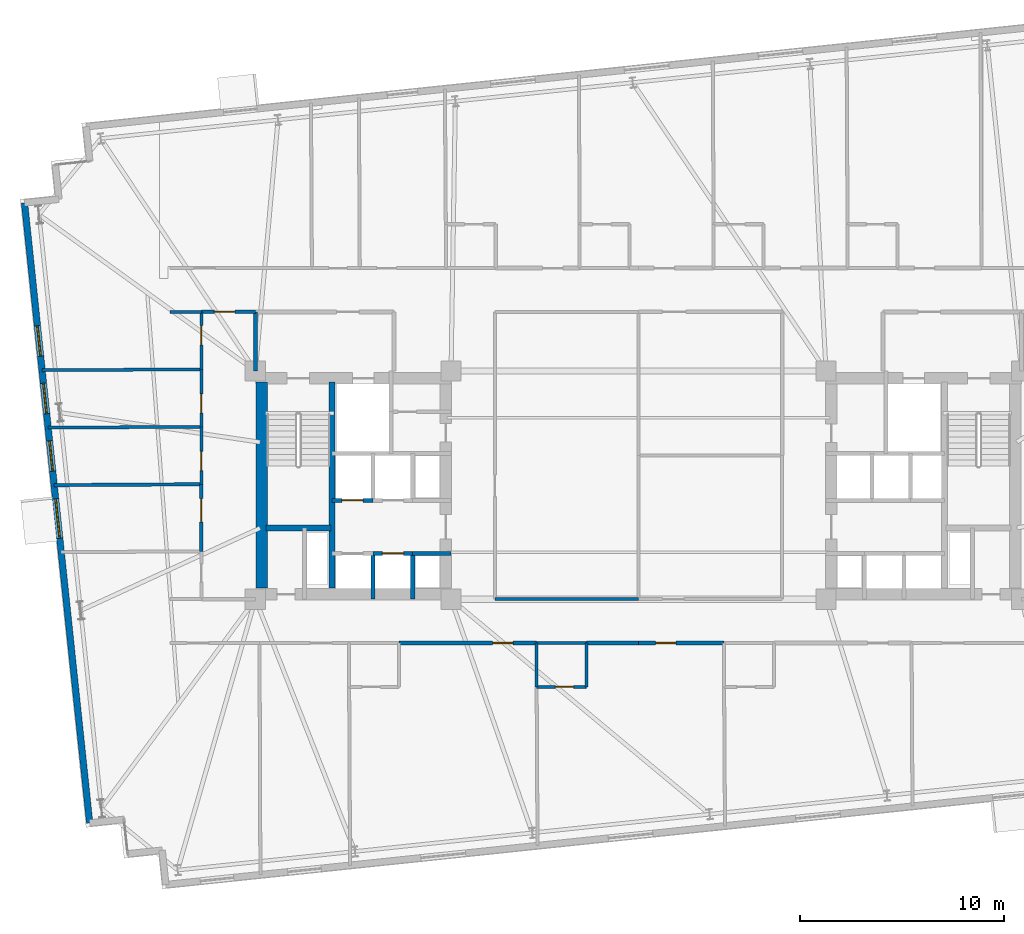
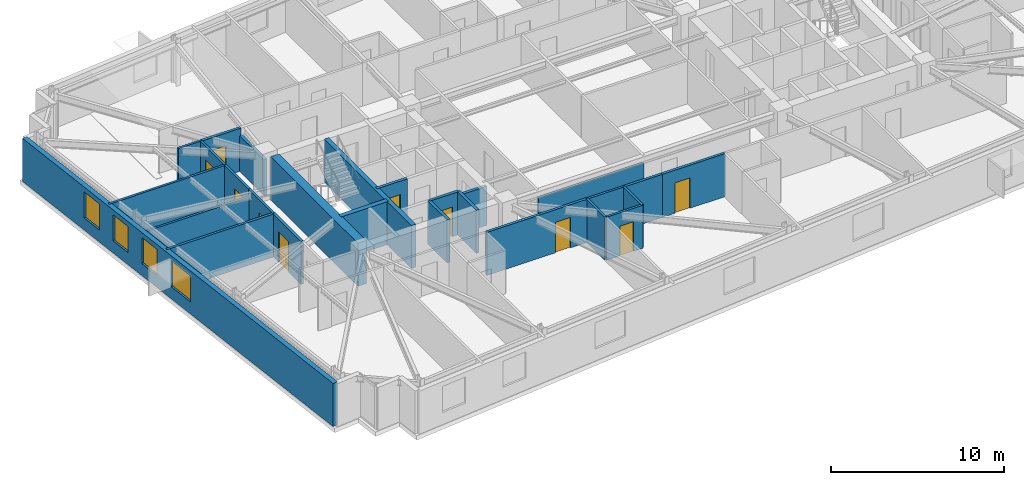
# One storey, part 12 of 19: 27 walls, 10 doors, 4 windows, 14 openings.
"""IFC4 building model written with IfcOpenShell, lengths in metres."""

from ifc_helpers import new_model, si_unit, direction, frame, frame_2d, origin, place, context, subcontext, project, spatial, rectangle, extrude, material, layer, layer_set, type_object, element, fill, save


model = new_model("IFC4")

# Units and contexts
model_context = context("Model", 3, precision=1e-05, world=origin(), true_north=direction((0.0, 1.0)))
body_context = subcontext(model_context, "Body", "Model", "MODEL_VIEW")
ifc_project = project(units=[si_unit("LENGTHUNIT", "METRE"), si_unit("AREAUNIT", "SQUARE_METRE"), si_unit("VOLUMEUNIT", "CUBIC_METRE"), si_unit("PLANEANGLEUNIT", "RADIAN"), si_unit("MASSUNIT", "GRAM", prefix="KILO")], contexts=[model_context])

# Site, building, storey
site_placement = place(None, origin())
site = spatial("IfcSite", under=ifc_project, at=site_placement, CompositionType="ELEMENT")
building_placement = place(site_placement, origin())
building = spatial("IfcBuilding", under=site, at=building_placement, Name="Qobustan Lattice House", CompositionType="ELEMENT")
storey_placement = place(building_placement, frame((0.0, 0.0, 82.35009765625)))
storey = spatial("IfcBuildingStorey", under=building, at=storey_placement, Name="L22", CompositionType="ELEMENT", Elevation=82.35009765625)

# Walls
ifc_material_1 = material(Name="Concrete C60/75", Category="concrete")
ifc_layer_1 = layer(ifc_material_1, 0.56005859375)
ifc_layer_set_1 = layer_set([ifc_layer_1], Name="Concrete C60/75")
wall_type_1 = type_object("IfcWallType", Name="WAL-CORE-600", PredefinedType="SHEAR", material=ifc_layer_set_1)
wall_1_placement = place(storey_placement, frame((-18.489990234375, -5.050048828125, 0.0), z_axis=(0.0, 0.0, 1.0), x_axis=(0.0, 1.0, 0.0)))
element("IfcWall", 1, at=wall_1_placement, inside=storey, type_object=wall_type_1, Name="L22 split-core shear wall CW-W", PredefinedType="SHEAR", context=body_context, shape_type="SweptSolid", body=[
    extrude(rectangle(XDim=10.10009765625, YDim=0.56005859375, at=frame_2d((5.050048828125, 0.0))), origin(), (0.0, 0.0, 1.0), 3.044921875),
])
ifc_material_2 = material(Name="Concrete C50/60", Category="concrete")
ifc_layer_2 = layer(ifc_material_2, 0.280029296875)
ifc_layer_set_2 = layer_set([ifc_layer_2], Name="Concrete C50/60")
wall_type_2 = type_object("IfcWallType", Name="WAL-CORE-SPINE-280", PredefinedType="SHEAR", material=ifc_layer_set_2)
wall_2_placement = place(storey_placement, frame((-15.050048828125, -5.050048828125, 0.0), z_axis=(0.0, 0.0, 1.0), x_axis=(0.0, 1.0, 0.0)))
element("IfcWall", 2, at=wall_2_placement, inside=storey, type_object=wall_type_2, Name="L22 split-core shear wall CW-M", PredefinedType="SHEAR", context=body_context, shape_type="SweptSolid", body=[
    extrude(rectangle(XDim=10.10009765625, YDim=0.300048828125, at=frame_2d((5.050048828125, 0.0))), origin(), (0.0, 0.0, 1.0), 3.044921875),
])
wall_3_placement = place(storey_placement, frame((-18.280029296875, -2.110107421875, 0.0), z_axis=(0.0, 0.0, 1.0), x_axis=(1.0, 0.0, 0.0)))
element("IfcWall", 3, at=wall_3_placement, inside=storey, type_object=wall_type_2, Name="L22 split-core shear wall CW-ST", PredefinedType="SHEAR", context=body_context, shape_type="SweptSolid", body=[
    extrude(rectangle(XDim=3.179931640625, YDim=0.300048828125, at=frame_2d((1.58984375, 0.0))), origin(), (0.0, 0.0, 1.0), 3.044921875),
])

# Wall, openings, windows
ifc_material_3 = material(Name="Precast concrete C40/50", Category="concrete")
ifc_layer_3 = layer(ifc_material_3, 0.320068359375)
ifc_layer_set_3 = layer_set([ifc_layer_3], Name="Precast concrete C40/50")
wall_type_3 = type_object("IfcWallType", Name="WAL-EXT-STONE-320", PredefinedType="SOLIDWALL", material=ifc_layer_set_3)
wall_4_placement = place(storey_placement, frame((-26.934814453125, -16.58349609375, 0.0), z_axis=(0.0, 0.0, 1.0), x_axis=(-0.104524887486, 0.994522271192, 0.0)))
wall_4 = element("IfcWall", 4, at=wall_4_placement, inside=storey, type_object=wall_type_3, Name="L22 exterior limestone-clad wall 5", PredefinedType="SOLIDWALL", context=body_context, shape_type="SweptSolid", body=[
    extrude(rectangle(XDim=30.600341796875, YDim=0.320068359375, at=frame_2d((15.30029296875, 0.0))), origin(), (0.0, 0.0, 1.0), 3.044921875),
])
opening_1_placement = place(wall_4_placement, frame((14.044677734375, 0.0, 0.85009765625)))
opening_1 = element("IfcOpeningElement", 5, at=opening_1_placement, cuts=wall_4, Name="Opening WN-08", PredefinedType="OPENING", context=body_context, shape_type="SweptSolid", body=[
    extrude(rectangle(XDim=1.949951171875, YDim=1.85009765625, at=frame_2d((0.97509765625, 0.925048828125))), frame((0.0, 0.169921875, 0.0), z_axis=(0.0, -1.0, 0.0), x_axis=(1.0, 0.0, 0.0)), (0.0, 0.0, 1.0), 0.340087890625),
])
opening_2_placement = place(wall_4_placement, frame((17.353759765625, 0.0, 0.85009765625)))
opening_2 = element("IfcOpeningElement", 6, at=opening_2_placement, cuts=wall_4, Name="Opening WN-01", PredefinedType="OPENING", context=body_context, shape_type="SweptSolid", body=[
    extrude(rectangle(XDim=1.5, YDim=1.85009765625, at=frame_2d((0.75, 0.925048828125))), frame((0.0, 0.169921875, 0.0), z_axis=(0.0, -1.0, 0.0), x_axis=(1.0, 0.0, 0.0)), (0.0, 0.0, 1.0), 0.340087890625),
])
opening_3_placement = place(wall_4_placement, frame((20.197509765625, 0.0, 0.85009765625)))
opening_3 = element("IfcOpeningElement", 7, at=opening_3_placement, cuts=wall_4, Name="Opening WN-01", PredefinedType="OPENING", context=body_context, shape_type="SweptSolid", body=[
    extrude(rectangle(XDim=1.5, YDim=1.85009765625, at=frame_2d((0.75, 0.925048828125))), frame((0.0, 0.169921875, 0.0), z_axis=(0.0, -1.0, 0.0), x_axis=(1.0, 0.0, 0.0)), (0.0, 0.0, 1.0), 0.340087890625),
])
opening_4_placement = place(wall_4_placement, frame((23.041015625, 0.0, 0.85009765625)))
opening_4 = element("IfcOpeningElement", 8, at=opening_4_placement, cuts=wall_4, Name="Opening WN-01", PredefinedType="OPENING", context=body_context, shape_type="SweptSolid", body=[
    extrude(rectangle(XDim=1.5, YDim=1.85009765625, at=frame_2d((0.75, 0.925048828125))), frame((0.0, 0.169921875, 0.0), z_axis=(0.0, -1.0, 0.0), x_axis=(1.0, 0.0, 0.0)), (0.0, 0.0, 1.0), 0.340087890625),
])
ifc_material_4 = material(Name="Double-glazed low-E aluminium window", Category="aluminium")
window_type_1 = type_object("IfcWindowType", Name="WIN-BED-1500x1850", PartitioningType="SINGLE_PANEL", PredefinedType="WINDOW", material=ifc_material_4)
window_1_placement = place(opening_2_placement, origin())
window_1 = element("IfcWindow", 9, at=window_1_placement, inside=storey, type_object=window_type_1, Name="L22 Cluster bedroom L22W1 window", OverallHeight=1.85009765625, OverallWidth=1.5, PartitioningType="SINGLE_PANEL", PredefinedType="WINDOW", context=body_context, shape_type="SweptSolid", body=[
    extrude(rectangle(XDim=1.5, YDim=1.85009765625, at=frame_2d((0.75, 0.925048828125))), frame((0.0, 0.030029296875, 0.0), z_axis=(0.0, -1.0, 0.0), x_axis=(1.0, 0.0, 0.0)), (0.0, 0.0, 1.0), 0.06005859375),
])
fill(opening_2, window_1)
window_2_placement = place(opening_3_placement, origin())
window_2 = element("IfcWindow", 10, at=window_2_placement, inside=storey, type_object=window_type_1, Name="L22 Cluster bedroom L22W2 window", OverallHeight=1.85009765625, OverallWidth=1.5, PartitioningType="SINGLE_PANEL", PredefinedType="WINDOW", context=body_context, shape_type="SweptSolid", body=[
    extrude(rectangle(XDim=1.5, YDim=1.85009765625, at=frame_2d((0.75, 0.925048828125))), frame((0.0, 0.030029296875, 0.0), z_axis=(0.0, -1.0, 0.0), x_axis=(1.0, 0.0, 0.0)), (0.0, 0.0, 1.0), 0.06005859375),
])
fill(opening_3, window_2)
window_3_placement = place(opening_4_placement, origin())
window_3 = element("IfcWindow", 11, at=window_3_placement, inside=storey, type_object=window_type_1, Name="L22 Cluster bedroom L22W3 window", OverallHeight=1.85009765625, OverallWidth=1.5, PartitioningType="SINGLE_PANEL", PredefinedType="WINDOW", context=body_context, shape_type="SweptSolid", body=[
    extrude(rectangle(XDim=1.5, YDim=1.85009765625, at=frame_2d((0.75, 0.925048828125))), frame((0.0, 0.030029296875, 0.0), z_axis=(0.0, -1.0, 0.0), x_axis=(1.0, 0.0, 0.0)), (0.0, 0.0, 1.0), 0.06005859375),
])
fill(opening_4, window_3)
ifc_material_5 = material(Name="Double-glazed low-E aluminium window", Category="aluminium")
window_type_2 = type_object("IfcWindowType", Name="WIN-KIT-1950x1850", PartitioningType="SINGLE_PANEL", PredefinedType="WINDOW", material=ifc_material_5)
window_4_placement = place(opening_1_placement, origin())
window_4 = element("IfcWindow", 12, at=window_4_placement, inside=storey, type_object=window_type_2, Name="L22 Shared kitchen L22W window", OverallHeight=1.85009765625, OverallWidth=1.949951171875, PartitioningType="SINGLE_PANEL", PredefinedType="WINDOW", context=body_context, shape_type="SweptSolid", body=[
    extrude(rectangle(XDim=1.949951171875, YDim=1.85009765625, at=frame_2d((0.97509765625, 0.925048828125))), frame((0.0, 0.030029296875, 0.0), z_axis=(0.0, -1.0, 0.0), x_axis=(1.0, 0.0, 0.0)), (0.0, 0.0, 1.0), 0.06005859375),
])
fill(opening_1, window_4)

# Wall, opening, door
ifc_material_6 = material(Name="Gypsum fireboard acoustic partition", Category="gypsum")
ifc_layer_4 = layer(ifc_material_6, 0.179931640625)
ifc_layer_set_4 = layer_set([ifc_layer_4], Name="Gypsum fireboard acoustic partition")
wall_type_4 = type_object("IfcWallType", Name="WAL-FIRE-180", PredefinedType="PARTITIONING", material=ifc_layer_set_4)
wall_5_placement = place(storey_placement, frame((-18.800048828125, 8.5, 0.0), z_axis=(0.0, 0.0, 1.0), x_axis=(-1.0, 0.0, 0.0)))
wall_5 = element("IfcWall", 13, at=wall_5_placement, inside=storey, type_object=wall_type_4, Name="L22 interior partition 37", PredefinedType="PARTITIONING", context=body_context, shape_type="SweptSolid", body=[
    extrude(rectangle(XDim=2.64990234375, YDim=0.179931640625, at=frame_2d((1.324951171875, 0.0))), origin(), (0.0, 0.0, 1.0), 3.044921875),
])
opening_5_placement = place(wall_5_placement, frame((1.0087890625, 0.0, 0.0)))
opening_5 = element("IfcOpeningElement", 14, at=opening_5_placement, cuts=wall_5, Name="Opening FD-02", PredefinedType="OPENING", context=body_context, shape_type="SweptSolid", body=[
    extrude(rectangle(XDim=1.0, YDim=2.14990234375, at=frame_2d((0.5, 1.074951171875))), frame((0.0, 0.099853515625, 0.0), z_axis=(0.0, -1.0, 0.0), x_axis=(1.0, 0.0, 0.0)), (0.0, 0.0, 1.0), 0.199951171875),
])
ifc_material_7 = material(Name="Persian walnut timber and steel frame door", Category="steel")
door_type_1 = type_object("IfcDoorType", Name="DOR-UNIT-FD-1000x2150", OperationType="NOTDEFINED", PredefinedType="DOOR", material=ifc_material_7)
door_1_placement = place(opening_5_placement, origin())
door_1 = element("IfcDoor", 15, at=door_1_placement, inside=storey, type_object=door_type_1, Name="L22 North-west floor corridor to Residence entrance hall L22W door", OperationType="SINGLE_SWING_RIGHT", OverallHeight=2.14990234375, OverallWidth=1.0, PredefinedType="DOOR", context=body_context, shape_type="SweptSolid", body=[
    extrude(rectangle(XDim=1.0, YDim=2.14990234375, at=frame_2d((0.5, 1.074951171875))), frame((0.0, 0.02490234375, 0.0), z_axis=(0.0, -1.0, 0.0), x_axis=(1.0, 0.0, 0.0)), (0.0, 0.0, 1.0), 0.050048828125),
])
fill(opening_5, door_1)

wall_6_placement = place(storey_placement, frame((-5.0, -7.75, 0.0), z_axis=(0.0, 0.0, 1.0), x_axis=(-1.0, 0.0, 0.0)))
wall_6 = element("IfcWall", 16, at=wall_6_placement, inside=storey, type_object=wall_type_4, Name="L22 interior partition 60", PredefinedType="PARTITIONING", context=body_context, shape_type="SweptSolid", body=[
    extrude(rectangle(XDim=6.75, YDim=0.179931640625, at=frame_2d((3.375, 0.0))), origin(), (0.0, 0.0, 1.0), 3.044921875),
])
opening_6_placement = place(wall_6_placement, frame((1.15380859375, 0.0, 0.0)))
opening_6 = element("IfcOpeningElement", 17, at=opening_6_placement, cuts=wall_6, Name="Opening FD-02", PredefinedType="OPENING", context=body_context, shape_type="SweptSolid", body=[
    extrude(rectangle(XDim=1.0, YDim=2.14990234375, at=frame_2d((0.5, 1.074951171875))), frame((0.0, 0.099853515625, 0.0), z_axis=(0.0, -1.0, 0.0), x_axis=(1.0, 0.0, 0.0)), (0.0, 0.0, 1.0), 0.199951171875),
])
door_2_placement = place(opening_6_placement, origin())
door_2 = element("IfcDoor", 18, at=door_2_placement, inside=storey, type_object=door_type_1, Name="L22 South-west floor corridor to Kitchenette and studio apartment L22-S2 door", OperationType="SINGLE_SWING_LEFT", OverallHeight=2.14990234375, OverallWidth=1.0, PredefinedType="DOOR", context=body_context, shape_type="SweptSolid", body=[
    extrude(rectangle(XDim=1.0, YDim=2.14990234375, at=frame_2d((0.5, 1.074951171875))), frame((0.0, 0.02490234375, 0.0), z_axis=(0.0, -1.0, 0.0), x_axis=(1.0, 0.0, 0.0)), (0.0, 0.0, 1.0), 0.050048828125),
])
fill(opening_6, door_2)

# Wall
wall_7_placement = place(storey_placement, frame((0.0, -7.75, 0.0), z_axis=(0.0, 0.0, 1.0), x_axis=(-1.0, 0.0, 0.0)))
element("IfcWall", 19, at=wall_7_placement, inside=storey, type_object=wall_type_4, Name="L22 interior partition 62", PredefinedType="PARTITIONING", context=body_context, shape_type="SweptSolid", body=[
    extrude(rectangle(XDim=2.550048828125, YDim=0.179931640625, at=frame_2d((1.27490234375, 0.0))), origin(), (0.0, 0.0, 1.0), 3.044921875),
])

# Wall, opening, door
wall_8_placement = place(storey_placement, frame((4.199951171875, -7.75, 0.0), z_axis=(0.0, 0.0, 1.0), x_axis=(-1.0, 0.0, 0.0)))
wall_8 = element("IfcWall", 20, at=wall_8_placement, inside=storey, type_object=wall_type_4, Name="L22 interior partition 67", PredefinedType="PARTITIONING", context=body_context, shape_type="SweptSolid", body=[
    extrude(rectangle(XDim=4.199951171875, YDim=0.179931640625, at=frame_2d((2.10009765625, 0.0))), origin(), (0.0, 0.0, 1.0), 3.044921875),
])
opening_7_placement = place(wall_8_placement, frame((2.364990234375, 0.0, 0.0)))
opening_7 = element("IfcOpeningElement", 21, at=opening_7_placement, cuts=wall_8, Name="Opening FD-02", PredefinedType="OPENING", context=body_context, shape_type="SweptSolid", body=[
    extrude(rectangle(XDim=1.0, YDim=2.14990234375, at=frame_2d((0.5, 1.074951171875))), frame((0.0, 0.099853515625, 0.0), z_axis=(0.0, -1.0, 0.0), x_axis=(1.0, 0.0, 0.0)), (0.0, 0.0, 1.0), 0.199951171875),
])
door_3_placement = place(opening_7_placement, origin())
door_3 = element("IfcDoor", 22, at=door_3_placement, inside=storey, type_object=door_type_1, Name="L22 South-east floor corridor to Kitchenette and studio apartment L22-S3 door", OperationType="SINGLE_SWING_RIGHT", OverallHeight=2.14990234375, OverallWidth=1.0, PredefinedType="DOOR", context=body_context, shape_type="SweptSolid", body=[
    extrude(rectangle(XDim=1.0, YDim=2.14990234375, at=frame_2d((0.5, 1.074951171875))), frame((0.0, 0.02490234375, 0.0), z_axis=(0.0, -1.0, 0.0), x_axis=(1.0, 0.0, 0.0)), (0.0, 0.0, 1.0), 0.050048828125),
])
fill(opening_7, door_3)

# Walls
ifc_material_8 = material(Name="Acoustic twin-stud gypsum partition", Category="gypsum")
ifc_layer_5 = layer(ifc_material_8, 0.14990234375)
ifc_layer_set_5 = layer_set([ifc_layer_5], Name="Acoustic twin-stud gypsum partition")
wall_type_5 = type_object("IfcWallType", Name="WAL-PART-150", PredefinedType="PARTITIONING", material=ifc_layer_set_5)
wall_9_placement = place(storey_placement, frame((-21.449951171875, 8.5, 0.0), z_axis=(0.0, 0.0, 1.0), x_axis=(-1.0, 0.0, 0.0)))
element("IfcWall", 23, at=wall_9_placement, inside=storey, type_object=wall_type_5, Name="L22 interior partition 38", PredefinedType="PARTITIONING", context=body_context, shape_type="SweptSolid", body=[
    extrude(rectangle(XDim=1.550048828125, YDim=0.14990234375, at=frame_2d((0.77490234375, 0.0))), origin(), (0.0, 0.0, 1.0), 3.044921875),
])
wall_10_placement = place(storey_placement, frame((-7.050048828125, -5.60009765625, 0.0), z_axis=(0.0, 0.0, 1.0), x_axis=(1.0, 0.0, 0.0)))
element("IfcWall", 24, at=wall_10_placement, inside=storey, type_object=wall_type_5, Name="L22 interior partition 64", PredefinedType="PARTITIONING", context=body_context, shape_type="SweptSolid", body=[
    extrude(rectangle(XDim=7.050048828125, YDim=0.14990234375, at=frame_2d((3.52490234375, 0.0))), origin(), (0.0, 0.0, 1.0), 2.52978515625),
])

# Wall, opening, door
wall_11_placement = place(storey_placement, frame((-21.449951171875, 0.0400390625, 0.0), z_axis=(0.0, 0.0, 1.0), x_axis=(0.0, 1.0, 0.0)))
wall_11 = element("IfcWall", 25, at=wall_11_placement, inside=storey, type_object=wall_type_5, Name="L22 interior partition 77", PredefinedType="PARTITIONING", context=body_context, shape_type="SweptSolid", body=[
    extrude(rectangle(XDim=2.820068359375, YDim=0.14990234375, at=frame_2d((1.41015625, 0.0))), origin(), (0.0, 0.0, 1.0), 3.044921875),
])
opening_8_placement = place(wall_11_placement, frame((0.668701171875, 0.0, 0.0)))
opening_8 = element("IfcOpeningElement", 26, at=opening_8_placement, cuts=wall_11, Name="Opening ID-01", PredefinedType="OPENING", context=body_context, shape_type="SweptSolid", body=[
    extrude(rectangle(XDim=0.949951171875, YDim=2.10009765625, at=frame_2d((0.47509765625, 1.050048828125))), frame((0.0, 0.0849609375, 0.0), z_axis=(0.0, -1.0, 0.0), x_axis=(1.0, 0.0, 0.0)), (0.0, 0.0, 1.0), 0.169921875),
])
ifc_material_9 = material(Name="Persian walnut timber and steel frame door", Category="steel")
door_type_2 = type_object("IfcDoorType", Name="DOR-ROOM-950x2100", OperationType="NOTDEFINED", PredefinedType="DOOR", material=ifc_material_9)
door_4_placement = place(opening_8_placement, origin())
door_4 = element("IfcDoor", 27, at=door_4_placement, inside=storey, type_object=door_type_2, Name="L22 Residence entrance hall L22W to Cluster bedroom L22W1 door", OperationType="SINGLE_SWING_LEFT", OverallHeight=2.10009765625, OverallWidth=0.949951171875, PredefinedType="DOOR", context=body_context, shape_type="SweptSolid", body=[
    extrude(rectangle(XDim=0.949951171875, YDim=2.10009765625, at=frame_2d((0.47509765625, 1.050048828125))), frame((0.0, 0.02490234375, 0.0), z_axis=(0.0, -1.0, 0.0), x_axis=(1.0, 0.0, 0.0)), (0.0, 0.0, 1.0), 0.050048828125),
])
fill(opening_8, door_4)

wall_12_placement = place(storey_placement, frame((-21.449951171875, 2.860107421875, 0.0), z_axis=(0.0, 0.0, 1.0), x_axis=(0.0, 1.0, 0.0)))
wall_12 = element("IfcWall", 28, at=wall_12_placement, inside=storey, type_object=wall_type_5, Name="L22 interior partition 78", PredefinedType="PARTITIONING", context=body_context, shape_type="SweptSolid", body=[
    extrude(rectangle(XDim=2.81982421875, YDim=0.14990234375, at=frame_2d((1.409912109375, 0.0))), origin(), (0.0, 0.0, 1.0), 3.044921875),
])
opening_9_placement = place(wall_12_placement, frame((0.668701171875, 0.0, 0.0)))
opening_9 = element("IfcOpeningElement", 29, at=opening_9_placement, cuts=wall_12, Name="Opening ID-01", PredefinedType="OPENING", context=body_context, shape_type="SweptSolid", body=[
    extrude(rectangle(XDim=0.949951171875, YDim=2.10009765625, at=frame_2d((0.47509765625, 1.050048828125))), frame((0.0, 0.0849609375, 0.0), z_axis=(0.0, -1.0, 0.0), x_axis=(1.0, 0.0, 0.0)), (0.0, 0.0, 1.0), 0.169921875),
])
door_5_placement = place(opening_9_placement, origin())
door_5 = element("IfcDoor", 30, at=door_5_placement, inside=storey, type_object=door_type_2, Name="L22 Residence entrance hall L22W to Cluster bedroom L22W2 door", OperationType="SINGLE_SWING_RIGHT", OverallHeight=2.10009765625, OverallWidth=0.949951171875, PredefinedType="DOOR", context=body_context, shape_type="SweptSolid", body=[
    extrude(rectangle(XDim=0.949951171875, YDim=2.10009765625, at=frame_2d((0.47509765625, 1.050048828125))), frame((0.0, 0.02490234375, 0.0), z_axis=(0.0, -1.0, 0.0), x_axis=(1.0, 0.0, 0.0)), (0.0, 0.0, 1.0), 0.050048828125),
])
fill(opening_9, door_5)

wall_13_placement = place(storey_placement, frame((-21.449951171875, 5.679931640625, 0.0), z_axis=(0.0, 0.0, 1.0), x_axis=(0.0, 1.0, 0.0)))
wall_13 = element("IfcWall", 31, at=wall_13_placement, inside=storey, type_object=wall_type_5, Name="L22 interior partition 79", PredefinedType="PARTITIONING", context=body_context, shape_type="SweptSolid", body=[
    extrude(rectangle(XDim=2.820068359375, YDim=0.14990234375, at=frame_2d((1.41015625, 0.0))), origin(), (0.0, 0.0, 1.0), 3.044921875),
])
opening_10_placement = place(wall_13_placement, frame((1.201171875, 0.0, 0.0)))
opening_10 = element("IfcOpeningElement", 32, at=opening_10_placement, cuts=wall_13, Name="Opening ID-01", PredefinedType="OPENING", context=body_context, shape_type="SweptSolid", body=[
    extrude(rectangle(XDim=0.949951171875, YDim=2.10009765625, at=frame_2d((0.47509765625, 1.050048828125))), frame((0.0, 0.0849609375, 0.0), z_axis=(0.0, -1.0, 0.0), x_axis=(1.0, 0.0, 0.0)), (0.0, 0.0, 1.0), 0.169921875),
])
door_6_placement = place(opening_10_placement, origin())
door_6 = element("IfcDoor", 33, at=door_6_placement, inside=storey, type_object=door_type_2, Name="L22 Residence entrance hall L22W to Cluster bedroom L22W3 door", OperationType="SINGLE_SWING_LEFT", OverallHeight=2.10009765625, OverallWidth=0.949951171875, PredefinedType="DOOR", context=body_context, shape_type="SweptSolid", body=[
    extrude(rectangle(XDim=0.949951171875, YDim=2.10009765625, at=frame_2d((0.47509765625, 1.050048828125))), frame((0.0, 0.02490234375, 0.0), z_axis=(0.0, -1.0, 0.0), x_axis=(1.0, 0.0, 0.0)), (0.0, 0.0, 1.0), 0.050048828125),
])
fill(opening_10, door_6)

# Walls
wall_14_placement = place(storey_placement, frame((-28.9736328125, 2.816162109375, 0.0), z_axis=(0.0, 0.0, 1.0), x_axis=(0.999982942193, 0.00584083232, 0.0)))
element("IfcWall", 34, at=wall_14_placement, inside=storey, type_object=wall_type_5, Name="L22 interior partition 82", PredefinedType="PARTITIONING", context=body_context, shape_type="SweptSolid", body=[
    extrude(rectangle(XDim=7.52392578125, YDim=0.14990234375, at=frame_2d((3.761962890625, 0.0))), origin(), (0.0, 0.0, 1.0), 2.52978515625),
])
wall_15_placement = place(storey_placement, frame((-29.27001953125, 5.635986328125, 0.0), z_axis=(0.0, 0.0, 1.0), x_axis=(0.999984210669, 0.005619467326, 0.0)))
element("IfcWall", 35, at=wall_15_placement, inside=storey, type_object=wall_type_5, Name="L22 interior partition 83", PredefinedType="PARTITIONING", context=body_context, shape_type="SweptSolid", body=[
    extrude(rectangle(XDim=7.8203125, YDim=0.14990234375, at=frame_2d((3.91015625, 0.0))), origin(), (0.0, 0.0, 1.0), 3.044921875),
])

# Wall, opening, door
ifc_material_10 = material(Name="High-mass acoustic twin-stud partition", Category="gypsum")
ifc_layer_6 = layer(ifc_material_10, 0.1650390625)
ifc_layer_set_6 = layer_set([ifc_layer_6], Name="High-mass acoustic twin-stud partition")
wall_type_6 = type_object("IfcWallType", Name="WAL-PART-165", PredefinedType="PARTITIONING", material=ifc_layer_set_6)
wall_16_placement = place(storey_placement, frame((-21.449951171875, -3.25, 0.0), z_axis=(0.0, 0.0, 1.0), x_axis=(0.0, 1.0, 0.0)))
wall_16 = element("IfcWall", 36, at=wall_16_placement, inside=storey, type_object=wall_type_6, Name="L22 interior partition 76", PredefinedType="PARTITIONING", context=body_context, shape_type="SweptSolid", body=[
    extrude(rectangle(XDim=3.2900390625, YDim=0.1650390625, at=frame_2d((1.64501953125, 0.0))), origin(), (0.0, 0.0, 1.0), 3.044921875),
])
opening_11_placement = place(wall_16_placement, frame((1.4375, 0.0, 0.0)))
opening_11 = element("IfcOpeningElement", 37, at=opening_11_placement, cuts=wall_16, Name="Opening ID-03", PredefinedType="OPENING", context=body_context, shape_type="SweptSolid", body=[
    extrude(rectangle(XDim=1.14990234375, YDim=2.14990234375, at=frame_2d((0.574951171875, 1.074951171875))), frame((0.0, 0.092529296875, 0.0), z_axis=(0.0, -1.0, 0.0), x_axis=(1.0, 0.0, 0.0)), (0.0, 0.0, 1.0), 0.18505859375),
])
ifc_material_11 = material(Name="Persian walnut timber and steel frame door", Category="steel")
door_type_3 = type_object("IfcDoorType", Name="DOR-KITCH-1150x2150", OperationType="NOTDEFINED", PredefinedType="DOOR", material=ifc_material_11)
door_7_placement = place(opening_11_placement, origin())
door_7 = element("IfcDoor", 38, at=door_7_placement, inside=storey, type_object=door_type_3, Name="L22 Residence entrance hall L22W to Shared kitchen L22W door", OperationType="SINGLE_SWING_RIGHT", OverallHeight=2.14990234375, OverallWidth=1.14990234375, PredefinedType="DOOR", context=body_context, shape_type="SweptSolid", body=[
    extrude(rectangle(XDim=1.14990234375, YDim=2.14990234375, at=frame_2d((0.574951171875, 1.074951171875))), frame((0.0, 0.02490234375, 0.0), z_axis=(0.0, -1.0, 0.0), x_axis=(1.0, 0.0, 0.0)), (0.0, 0.0, 1.0), 0.050048828125),
])
fill(opening_11, door_7)

# Walls
wall_17_placement = place(storey_placement, frame((-28.67724609375, -0.00390625, 0.0), z_axis=(0.0, 0.0, 1.0), x_axis=(0.999981514486, 0.006080352417, 0.0)))
element("IfcWall", 39, at=wall_17_placement, inside=storey, type_object=wall_type_6, Name="L22 interior partition 81", PredefinedType="PARTITIONING", context=body_context, shape_type="SweptSolid", body=[
    extrude(rectangle(XDim=7.2275390625, YDim=0.1650390625, at=frame_2d((3.61376953125, 0.0))), origin(), (0.0, 0.0, 1.0), 3.044921875),
])
ifc_material_12 = material(Name="Two-hour gypsum fireboard acoustic partition", Category="gypsum")
ifc_layer_7 = layer(ifc_material_12, 0.199951171875)
ifc_layer_set_7 = layer_set([ifc_layer_7], Name="Two-hour gypsum fireboard acoustic partition")
wall_type_7 = type_object("IfcWallType", Name="WAL-PROT-200", PredefinedType="PARTITIONING", material=ifc_layer_set_7)
wall_18_placement = place(storey_placement, frame((-18.800048828125, 8.5, 0.0), z_axis=(0.0, 0.0, 1.0), x_axis=(0.0, -1.0, 0.0)))
element("IfcWall", 40, at=wall_18_placement, inside=storey, type_object=wall_type_7, Name="L22 interior partition 6", PredefinedType="PARTITIONING", context=body_context, shape_type="SweptSolid", body=[
    extrude(rectangle(XDim=2.89990234375, YDim=0.199951171875, at=frame_2d((1.449951171875, 0.0))), origin(), (0.0, 0.0, 1.0), 2.52978515625),
])

# Wall, opening, door
ifc_material_13 = material(Name="Concrete C40/50", Category="concrete")
ifc_layer_8 = layer(ifc_material_13, 0.199951171875)
ifc_layer_set_8 = layer_set([ifc_layer_8], Name="Concrete C40/50")
wall_type_8 = type_object("IfcWallType", Name="WAL-SHAFT-200", PredefinedType="PARTITIONING", material=ifc_layer_set_8)
wall_19_placement = place(storey_placement, frame((-13.02001953125, -3.35009765625, 0.0), z_axis=(0.0, 0.0, 1.0), x_axis=(1.0, 0.0, 0.0)))
wall_19 = element("IfcWall", 41, at=wall_19_placement, inside=storey, type_object=wall_type_8, Name="L22 interior partition 10", PredefinedType="PARTITIONING", context=body_context, shape_type="SweptSolid", body=[
    extrude(rectangle(XDim=1.93994140625, YDim=0.199951171875, at=frame_2d((0.969970703125, 0.0))), origin(), (0.0, 0.0, 1.0), 3.044921875),
])
opening_12_placement = place(wall_19_placement, frame((0.445068359375, 0.0, 0.0)))
opening_12 = element("IfcOpeningElement", 42, at=opening_12_placement, cuts=wall_19, Name="Opening LD-01", PredefinedType="OPENING", context=body_context, shape_type="SweptSolid", body=[
    extrude(rectangle(XDim=1.050048828125, YDim=2.10009765625, at=frame_2d((0.52490234375, 1.050048828125))), frame((0.0, 0.10986328125, 0.0), z_axis=(0.0, -1.0, 0.0), x_axis=(1.0, 0.0, 0.0)), (0.0, 0.0, 1.0), 0.219970703125),
])
ifc_material_14 = material(Name="Persian walnut timber and steel frame door", Category="steel")
door_type_4 = type_object("IfcDoorType", Name="DOR-LIFT-LD-1050x2100", OperationType="NOTDEFINED", PredefinedType="DOOR", material=ifc_material_14)
door_8_placement = place(opening_12_placement, origin())
door_8 = element("IfcDoor", 43, at=door_8_placement, inside=storey, type_object=door_type_4, Name="L22 lift landing door", OperationType="DOUBLE_DOOR_SLIDING", OverallHeight=2.10009765625, OverallWidth=1.050048828125, PredefinedType="DOOR", context=body_context, shape_type="SweptSolid", body=[
    extrude(rectangle(XDim=1.050048828125, YDim=2.10009765625, at=frame_2d((0.52490234375, 1.050048828125))), frame((0.0, 0.02490234375, 0.0), z_axis=(0.0, -1.0, 0.0), x_axis=(1.0, 0.0, 0.0)), (0.0, 0.0, 1.0), 0.050048828125),
])
fill(opening_12, door_8)

# Wall
wall_20_placement = place(storey_placement, frame((-11.080078125, -3.35009765625, 0.0), z_axis=(0.0, 0.0, 1.0), x_axis=(1.0, 0.0, 0.0)))
element("IfcWall", 44, at=wall_20_placement, inside=storey, type_object=wall_type_8, Name="L22 interior partition 11", PredefinedType="PARTITIONING", context=body_context, shape_type="SweptSolid", body=[
    extrude(rectangle(XDim=1.880126953125, YDim=0.199951171875, at=frame_2d((0.93994140625, 0.0))), origin(), (0.0, 0.0, 1.0), 2.760009765625),
])

# Wall, opening, door
wall_21_placement = place(storey_placement, frame((-13.02001953125, -0.75, 0.0), z_axis=(0.0, 0.0, 1.0), x_axis=(-1.0, 0.0, 0.0)))
wall_21 = element("IfcWall", 45, at=wall_21_placement, inside=storey, type_object=wall_type_8, Name="L22 interior partition 12", PredefinedType="PARTITIONING", context=body_context, shape_type="SweptSolid", body=[
    extrude(rectangle(XDim=2.030029296875, YDim=0.199951171875, at=frame_2d((1.01513671875, 0.0))), origin(), (0.0, 0.0, 1.0), 3.044921875),
])
opening_13_placement = place(wall_21_placement, frame((0.489990234375, 0.0, 0.0)))
opening_13 = element("IfcOpeningElement", 46, at=opening_13_placement, cuts=wall_21, Name="Opening LD-01", PredefinedType="OPENING", context=body_context, shape_type="SweptSolid", body=[
    extrude(rectangle(XDim=1.050048828125, YDim=2.10009765625, at=frame_2d((0.52490234375, 1.050048828125))), frame((0.0, 0.10986328125, 0.0), z_axis=(0.0, -1.0, 0.0), x_axis=(1.0, 0.0, 0.0)), (0.0, 0.0, 1.0), 0.219970703125),
])
door_9_placement = place(opening_13_placement, origin())
door_9 = element("IfcDoor", 47, at=door_9_placement, inside=storey, type_object=door_type_4, Name="L22 lift landing door", OperationType="DOUBLE_DOOR_SLIDING", OverallHeight=2.10009765625, OverallWidth=1.050048828125, PredefinedType="DOOR", context=body_context, shape_type="SweptSolid", body=[
    extrude(rectangle(XDim=1.050048828125, YDim=2.10009765625, at=frame_2d((0.52490234375, 1.050048828125))), frame((0.0, 0.02490234375, 0.0), z_axis=(0.0, -1.0, 0.0), x_axis=(1.0, 0.0, 0.0)), (0.0, 0.0, 1.0), 0.050048828125),
])
fill(opening_13, door_9)

# Walls
for number, where, z_axis, x_axis, name in (
    (48, (-13.02001953125, -5.60009765625, 0.0), (0.0, 0.0, 1.0), (0.0, 1.0, 0.0), "L22 interior partition 16"),
    (49, (-11.080078125, -5.60009765625, 0.0), (0.0, 0.0, 1.0), (0.0, 1.0, 0.0), "L22 interior partition 17"),
):
    element("IfcWall", number, at=place(storey_placement, frame(where, z_axis=z_axis, x_axis=x_axis)), inside=storey, type_object=wall_type_8, Name=name, PredefinedType="PARTITIONING", context=body_context, shape_type="SweptSolid", body=[
        extrude(rectangle(XDim=2.25, YDim=0.199951171875, at=frame_2d((1.125, 0.0))), origin(), (0.0, 0.0, 1.0), 3.044921875),
    ])
ifc_material_15 = material(Name="Moisture-resistant acoustic plumbing wall", Category="gypsum")
ifc_layer_9 = layer(ifc_material_15, 0.14990234375)
ifc_layer_set_9 = layer_set([ifc_layer_9], Name="Moisture-resistant acoustic plumbing wall")
wall_type_9 = type_object("IfcWallType", Name="WAL-WET-150", PredefinedType="PLUMBINGWALL", material=ifc_layer_set_9)
wall_22_placement = place(storey_placement, frame((-2.550048828125, -7.75, 0.0), z_axis=(0.0, 0.0, 1.0), x_axis=(-1.0, 0.0, 0.0)))
element("IfcWall", 50, at=wall_22_placement, inside=storey, type_object=wall_type_9, Name="L22 interior partition 63", PredefinedType="PLUMBINGWALL", context=body_context, shape_type="SweptSolid", body=[
    extrude(rectangle(XDim=2.449951171875, YDim=0.14990234375, at=frame_2d((1.22509765625, 0.0))), origin(), (0.0, 0.0, 1.0), 3.044921875),
])
wall_23_placement = place(storey_placement, frame((-5.0, -7.75, 0.0), z_axis=(0.0, 0.0, 1.0), x_axis=(0.0, -1.0, 0.0)))
element("IfcWall", 51, at=wall_23_placement, inside=storey, type_object=wall_type_9, Name="L22 interior partition 121", PredefinedType="PLUMBINGWALL", context=body_context, shape_type="SweptSolid", body=[
    extrude(rectangle(XDim=2.14990234375, YDim=0.14990234375, at=frame_2d((1.074951171875, 0.0))), origin(), (0.0, 0.0, 1.0), 3.044921875),
])

# Wall, opening, door
wall_24_placement = place(storey_placement, frame((-5.0, -9.89990234375, 0.0), z_axis=(0.0, 0.0, 1.0), x_axis=(1.0, 0.0, 0.0)))
wall_24 = element("IfcWall", 52, at=wall_24_placement, inside=storey, type_object=wall_type_9, Name="L22 interior partition 122", PredefinedType="PLUMBINGWALL", context=body_context, shape_type="SweptSolid", body=[
    extrude(rectangle(XDim=2.449951171875, YDim=0.14990234375, at=frame_2d((1.22509765625, 0.0))), origin(), (0.0, 0.0, 1.0), 3.044921875),
])
opening_14_placement = place(wall_24_placement, frame((0.92138671875, 0.0, 0.0)))
opening_14 = element("IfcOpeningElement", 53, at=opening_14_placement, cuts=wall_24, Name="Opening WD-01", PredefinedType="OPENING", context=body_context, shape_type="SweptSolid", body=[
    extrude(rectangle(XDim=0.89990234375, YDim=2.10009765625, at=frame_2d((0.449951171875, 1.050048828125))), frame((0.0, 0.0849609375, 0.0), z_axis=(0.0, -1.0, 0.0), x_axis=(1.0, 0.0, 0.0)), (0.0, 0.0, 1.0), 0.169921875),
])
ifc_material_16 = material(Name="Persian walnut timber and steel frame door", Category="steel")
door_type_5 = type_object("IfcDoorType", Name="DOR-WET-900x2100", OperationType="NOTDEFINED", PredefinedType="DOOR", material=ifc_material_16)
door_10_placement = place(opening_14_placement, origin())
door_10 = element("IfcDoor", 54, at=door_10_placement, inside=storey, type_object=door_type_5, Name="L22 Kitchenette and studio apartment L22-S3 to En-suite bathroom L22-S3 door", OperationType="SINGLE_SWING_LEFT", OverallHeight=2.10009765625, OverallWidth=0.89990234375, PredefinedType="DOOR", context=body_context, shape_type="SweptSolid", body=[
    extrude(rectangle(XDim=0.89990234375, YDim=2.10009765625, at=frame_2d((0.449951171875, 1.050048828125))), frame((0.0, 0.02490234375, 0.0), z_axis=(0.0, -1.0, 0.0), x_axis=(1.0, 0.0, 0.0)), (0.0, 0.0, 1.0), 0.050048828125),
])
fill(opening_14, door_10)

# Wall
wall_25_placement = place(storey_placement, frame((-2.550048828125, -9.89990234375, 0.0), z_axis=(0.0, 0.0, 1.0), x_axis=(0.0, 1.0, 0.0)))
element("IfcWall", 55, at=wall_25_placement, inside=storey, type_object=wall_type_9, Name="L22 interior partition 123", PredefinedType="PLUMBINGWALL", context=body_context, shape_type="SweptSolid", body=[
    extrude(rectangle(XDim=2.14990234375, YDim=0.14990234375, at=frame_2d((1.074951171875, 0.0))), origin(), (0.0, 0.0, 1.0), 3.044921875),
])

save(model, "model.ifc")
